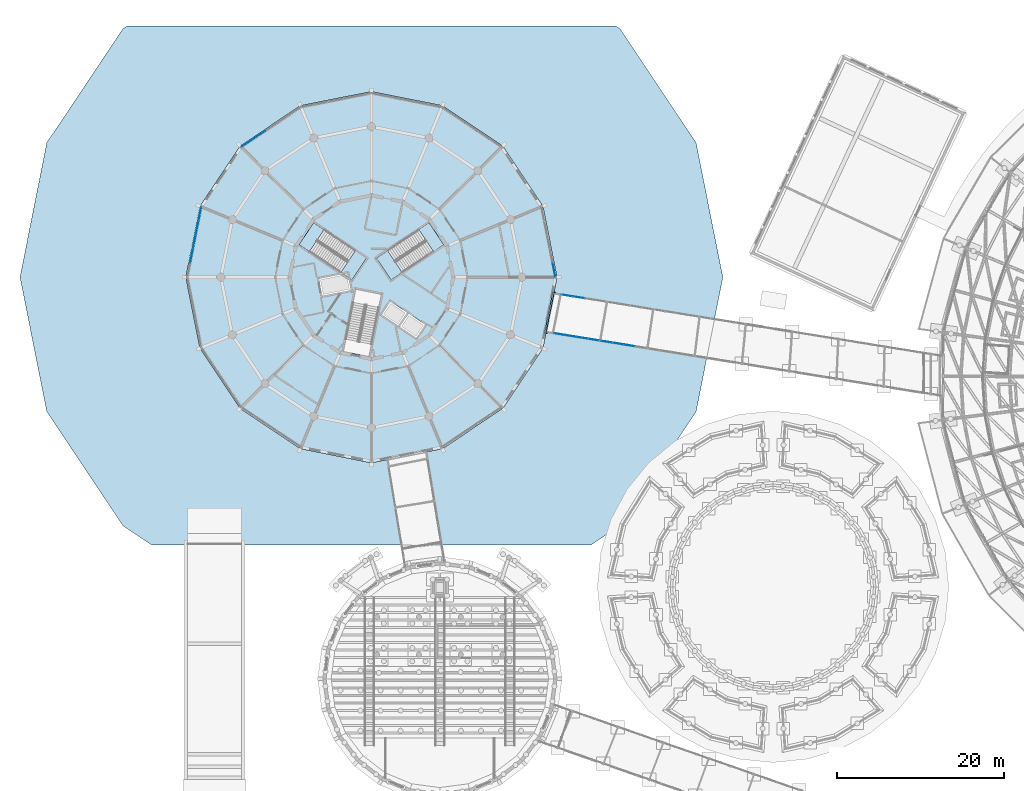
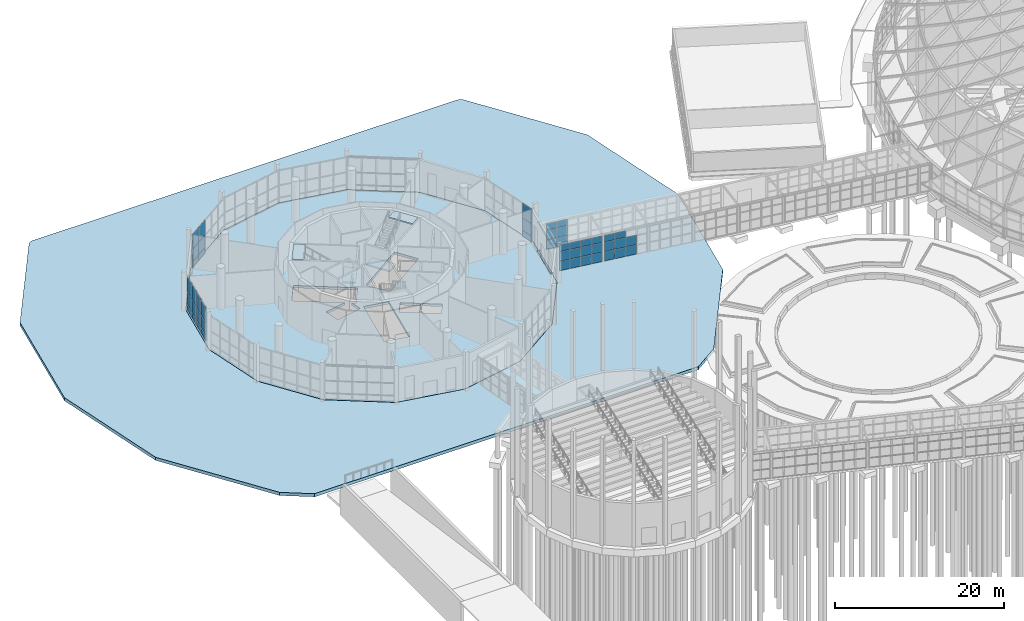
# One storey, part 131 of 226: 49 plates, 6 slabs, 8 elements without a shape of their own.
"""IFC4 building model written with IfcOpenShell, lengths in metres."""

from ifc_helpers import new_model, si_unit, direction, frame, origin, origin_2d, place, context, subcontext, project, spatial, polyline, rectangle, outline, extrude, material, layer, layer_set, type_object, element, aggregate, save


model = new_model("IFC4")

# Units and contexts
model_context = context("Model", 3, precision=1e-05, world=origin(), true_north=direction((0.0, 1.0)))
body_context = subcontext(model_context, "Body", "Model", "MODEL_VIEW")
ifc_project = project(units=[si_unit("LENGTHUNIT", "METRE"), si_unit("AREAUNIT", "SQUARE_METRE"), si_unit("VOLUMEUNIT", "CUBIC_METRE"), si_unit("PLANEANGLEUNIT", "RADIAN"), si_unit("MASSUNIT", "GRAM", prefix="KILO")], contexts=[model_context])

# Site, building, storey
site_placement = place(None, origin())
site = spatial("IfcSite", under=ifc_project, at=site_placement, CompositionType="ELEMENT")
building_placement = place(site_placement, origin())
building = spatial("IfcBuilding", under=site, at=building_placement, Name="Ceibo Conservatory and Research Tower", CompositionType="ELEMENT")
storey_placement = place(building_placement, origin())
storey = spatial("IfcBuildingStorey", under=building, at=storey_placement, Name="L00", CompositionType="ELEMENT", Elevation=0.0)

# Stair, slabs
ifc_material_1 = material(Name="Concrete C35/45", Category="concrete")
stair_type = type_object("IfcStairType", Name="Escape stair 176 x 280", PredefinedType="HALF_TURN_STAIR", material=ifc_material_1)
stair_1_placement = place(storey_placement, origin())
stair_1 = element("IfcStair", 1, at=stair_1_placement, inside=storey, type_object=stair_type, Name="Escape stair ST1 00", PredefinedType="HALF_TURN_STAIR")
ifc_layer_1 = layer(ifc_material_1, 0.199951171875)
ifc_layer_set_1 = layer_set([ifc_layer_1], Name="Concrete C35/45")
slab_type_1 = type_object("IfcSlabType", Name="Escape stair landing", PredefinedType="LANDING", material=ifc_layer_set_1)
slab_1_placement = place(storey_placement, frame((49.93359375, 123.186279296875, 2.800048828125), z_axis=(0.0, 0.0, 1.0), x_axis=(-0.831469612303, -0.55557023302, 0.0)))
slab_1 = element("IfcSlab", 2, at=slab_1_placement, type_object=slab_type_1, Name="ST1 landing 1", PredefinedType="LANDING", context=body_context, shape_type="SweptSolid", body=[
    extrude(outline(polyline([(0.0, 0.0), (1.6201171875, 0.0), (1.6201171875, 3.14990234375), (0.0, 3.14990234375), (0.0, 0.0)])), origin(), (0.0, 0.0, 1.0), 0.199951171875),
])
slab_2_placement = place(storey_placement, frame((54.90576171875, 126.508544921875, 5.800048828125), z_axis=(0.0, 0.0, 1.0), x_axis=(-0.831469612303, -0.55557023302, 0.0)))
slab_2 = element("IfcSlab", 3, at=slab_2_placement, type_object=slab_type_1, Name="ST1 landing 2", PredefinedType="LANDING", context=body_context, shape_type="SweptSolid", body=[
    extrude(outline(polyline([(0.0, 0.0), (1.5, 0.0), (1.5, 3.150146484375), (0.0, 3.150146484375), (0.0, 0.0)])), origin(), (0.0, 0.0, 1.0), 0.199951171875),
])
aggregate(stair_1, [slab_1, slab_2])

stair_2_placement = place(storey_placement, origin())
stair_2 = element("IfcStair", 4, at=stair_2_placement, inside=storey, type_object=stair_type, Name="Escape stair ST2 00", PredefinedType="HALF_TURN_STAIR")
slab_3_placement = place(storey_placement, frame((44.31640625, 120.567138671875, 2.800048828125), z_axis=(0.0, 0.0, 1.0), x_axis=(0.831469612303, -0.55557023302, 0.0)))
slab_3 = element("IfcSlab", 5, at=slab_3_placement, type_object=slab_type_1, Name="ST2 landing 1", PredefinedType="LANDING", context=body_context, shape_type="SweptSolid", body=[
    extrude(outline(polyline([(0.0, 0.0), (1.6201171875, 0.0), (1.6201171875, 3.14990234375), (0.0, 3.14990234375), (0.0, 0.0)])), origin(), (0.0, 0.0, 1.0), 0.199951171875),
])
slab_4_placement = place(storey_placement, frame((39.34423828125, 123.889404296875, 5.800048828125), z_axis=(0.0, 0.0, 1.0), x_axis=(0.831469612303, -0.55557023302, 0.0)))
slab_4 = element("IfcSlab", 6, at=slab_4_placement, type_object=slab_type_1, Name="ST2 landing 2", PredefinedType="LANDING", context=body_context, shape_type="SweptSolid", body=[
    extrude(outline(polyline([(0.0, 0.0), (1.5, 0.0), (1.5, 3.150146484375), (0.0, 3.150146484375), (0.0, 0.0)])), origin(), (0.0, 0.0, 1.0), 0.199951171875),
])
aggregate(stair_2, [slab_3, slab_4])

# Curtain wall, plates
ifc_material_2 = material(Name="Aluminium and glass", Category="aluminium")
curtain_wall_type_1 = type_object("IfcCurtainWallType", Name="Gallery curtain wall", PredefinedType="NOTDEFINED", material=ifc_material_2)
curtain_wall_1_placement = place(storey_placement, origin())
curtain_wall_1 = element("IfcCurtainWall", 7, at=curtain_wall_1_placement, inside=storey, type_object=curtain_wall_type_1, Name="Gallery curtain wall A-RT-CWN08", PredefinedType="NOTDEFINED")
ifc_material_3 = material(Name="Laminated glass", Category="glass")
ifc_layer_2 = layer(ifc_material_3, 0.028076171875)
ifc_layer_set_2 = layer_set([ifc_layer_2], Name="Laminated glass")
plate_type_1 = type_object("IfcPlateType", Name="Gallery glass 28", PredefinedType="CURTAIN_PANEL", material=ifc_layer_set_2)
plate_1_placement = place(storey_placement, frame((78.839599609375, 111.84765625, 0.06005859375), z_axis=(0.0, 0.0, 1.0), x_axis=(-0.987215515464, 0.159391110254, 0.0)))
plate_1 = element("IfcPlate", 8, at=plate_1_placement, type_object=plate_type_1, Name="A-RT-CWN08 panel 2.1", PredefinedType="CURTAIN_PANEL", context=body_context, shape_type="SweptSolid", body=[
    extrude(rectangle(XDim=1.319580078125, YDim=0.028076171875, at=origin_2d()), origin(), (0.0, 0.0, 1.0), 1.31005859375),
])
plate_2_placement = place(storey_placement, frame((78.839599609375, 111.84765625, 1.43017578125), z_axis=(0.0, 0.0, 1.0), x_axis=(-0.987215515464, 0.159391110254, 0.0)))
plate_2 = element("IfcPlate", 9, at=plate_2_placement, type_object=plate_type_1, Name="A-RT-CWN08 panel 2.2", PredefinedType="CURTAIN_PANEL", context=body_context, shape_type="SweptSolid", body=[
    extrude(rectangle(XDim=1.319580078125, YDim=0.028076171875, at=origin_2d()), origin(), (0.0, 0.0, 1.0), 1.340087890625),
])
plate_3_placement = place(storey_placement, frame((77.477783203125, 112.067626953125, 0.06005859375), z_axis=(0.0, 0.0, 1.0), x_axis=(-0.987215515464, 0.159391110254, 0.0)))
plate_3 = element("IfcPlate", 10, at=plate_3_placement, type_object=plate_type_1, Name="A-RT-CWN08 panel 3.1", PredefinedType="CURTAIN_PANEL", context=body_context, shape_type="SweptSolid", body=[
    extrude(rectangle(XDim=1.319580078125, YDim=0.028076171875, at=origin_2d()), origin(), (0.0, 0.0, 1.0), 1.31005859375),
])
plate_4_placement = place(storey_placement, frame((77.477783203125, 112.067626953125, 1.43017578125), z_axis=(0.0, 0.0, 1.0), x_axis=(-0.987215515464, 0.159391110254, 0.0)))
plate_4 = element("IfcPlate", 11, at=plate_4_placement, type_object=plate_type_1, Name="A-RT-CWN08 panel 3.2", PredefinedType="CURTAIN_PANEL", context=body_context, shape_type="SweptSolid", body=[
    extrude(rectangle(XDim=1.319580078125, YDim=0.028076171875, at=origin_2d()), origin(), (0.0, 0.0, 1.0), 1.340087890625),
])
plate_5_placement = place(storey_placement, frame((77.477783203125, 112.067626953125, 2.830078125), z_axis=(0.0, 0.0, 1.0), x_axis=(-0.987215515464, 0.159391110254, 0.0)))
plate_5 = element("IfcPlate", 12, at=plate_5_placement, type_object=plate_type_1, Name="A-RT-CWN08 panel 3.3", PredefinedType="CURTAIN_PANEL", context=body_context, shape_type="SweptSolid", body=[
    extrude(rectangle(XDim=1.319580078125, YDim=0.028076171875, at=origin_2d()), origin(), (0.0, 0.0, 1.0), 0.909912109375),
])
plate_6_placement = place(storey_placement, frame((76.130615234375, 112.28515625, 0.06005859375), z_axis=(0.0, 0.0, 1.0), x_axis=(-0.987215515464, 0.159391110254, 0.0)))
plate_6 = element("IfcPlate", 13, at=plate_6_placement, type_object=plate_type_1, Name="A-RT-CWN08 panel 4.1", PredefinedType="CURTAIN_PANEL", context=body_context, shape_type="SweptSolid", body=[
    extrude(rectangle(XDim=1.28955078125, YDim=0.028076171875, at=origin_2d()), origin(), (0.0, 0.0, 1.0), 1.31005859375),
])
plate_7_placement = place(storey_placement, frame((76.130615234375, 112.28515625, 1.43017578125), z_axis=(0.0, 0.0, 1.0), x_axis=(-0.987215515464, 0.159391110254, 0.0)))
plate_7 = element("IfcPlate", 14, at=plate_7_placement, type_object=plate_type_1, Name="A-RT-CWN08 panel 4.2", PredefinedType="CURTAIN_PANEL", context=body_context, shape_type="SweptSolid", body=[
    extrude(rectangle(XDim=1.28955078125, YDim=0.028076171875, at=origin_2d()), origin(), (0.0, 0.0, 1.0), 1.340087890625),
])
plate_8_placement = place(storey_placement, frame((76.130615234375, 112.28515625, 2.830078125), z_axis=(0.0, 0.0, 1.0), x_axis=(-0.987215515464, 0.159391110254, 0.0)))
plate_8 = element("IfcPlate", 15, at=plate_8_placement, type_object=plate_type_1, Name="A-RT-CWN08 panel 4.3", PredefinedType="CURTAIN_PANEL", context=body_context, shape_type="SweptSolid", body=[
    extrude(rectangle(XDim=1.28955078125, YDim=0.028076171875, at=origin_2d()), origin(), (0.0, 0.0, 1.0), 0.909912109375),
])
aggregate(curtain_wall_1, [plate_1, plate_2, plate_3, plate_4, plate_5, plate_6, plate_7, plate_8])

curtain_wall_2_placement = place(storey_placement, origin())
curtain_wall_2 = element("IfcCurtainWall", 16, at=curtain_wall_2_placement, inside=storey, type_object=curtain_wall_type_1, Name="Gallery curtain wall A-RT-CWN09", PredefinedType="NOTDEFINED")
plate_9_placement = place(storey_placement, frame((74.541748046875, 112.54150390625, 0.06005859375), z_axis=(0.0, 0.0, 1.0), x_axis=(-0.987215515464, 0.159391110254, 0.0)))
plate_9 = element("IfcPlate", 17, at=plate_9_placement, type_object=plate_type_1, Name="A-RT-CWN09 panel 1.1", PredefinedType="CURTAIN_PANEL", context=body_context, shape_type="SweptSolid", body=[
    extrude(rectangle(XDim=1.28955078125, YDim=0.028076171875, at=origin_2d()), origin(), (0.0, 0.0, 1.0), 1.31005859375),
])
plate_10_placement = place(storey_placement, frame((74.541748046875, 112.54150390625, 1.43017578125), z_axis=(0.0, 0.0, 1.0), x_axis=(-0.987215515464, 0.159391110254, 0.0)))
plate_10 = element("IfcPlate", 18, at=plate_10_placement, type_object=plate_type_1, Name="A-RT-CWN09 panel 1.2", PredefinedType="CURTAIN_PANEL", context=body_context, shape_type="SweptSolid", body=[
    extrude(rectangle(XDim=1.28955078125, YDim=0.028076171875, at=origin_2d()), origin(), (0.0, 0.0, 1.0), 1.340087890625),
])
plate_11_placement = place(storey_placement, frame((74.541748046875, 112.54150390625, 2.830078125), z_axis=(0.0, 0.0, 1.0), x_axis=(-0.987215515464, 0.159391110254, 0.0)))
plate_11 = element("IfcPlate", 19, at=plate_11_placement, type_object=plate_type_1, Name="A-RT-CWN09 panel 1.3", PredefinedType="CURTAIN_PANEL", context=body_context, shape_type="SweptSolid", body=[
    extrude(rectangle(XDim=1.28955078125, YDim=0.028076171875, at=origin_2d()), origin(), (0.0, 0.0, 1.0), 0.909912109375),
])
plate_12_placement = place(storey_placement, frame((73.194580078125, 112.759033203125, 0.06005859375), z_axis=(0.0, 0.0, 1.0), x_axis=(-0.987215515464, 0.159391110254, 0.0)))
plate_12 = element("IfcPlate", 20, at=plate_12_placement, type_object=plate_type_1, Name="A-RT-CWN09 panel 2.1", PredefinedType="CURTAIN_PANEL", context=body_context, shape_type="SweptSolid", body=[
    extrude(rectangle(XDim=1.319580078125, YDim=0.028076171875, at=origin_2d()), origin(), (0.0, 0.0, 1.0), 1.31005859375),
])
plate_13_placement = place(storey_placement, frame((73.194580078125, 112.759033203125, 1.43017578125), z_axis=(0.0, 0.0, 1.0), x_axis=(-0.987215515464, 0.159391110254, 0.0)))
plate_13 = element("IfcPlate", 21, at=plate_13_placement, type_object=plate_type_1, Name="A-RT-CWN09 panel 2.2", PredefinedType="CURTAIN_PANEL", context=body_context, shape_type="SweptSolid", body=[
    extrude(rectangle(XDim=1.319580078125, YDim=0.028076171875, at=origin_2d()), origin(), (0.0, 0.0, 1.0), 1.340087890625),
])
plate_14_placement = place(storey_placement, frame((73.194580078125, 112.759033203125, 2.830078125), z_axis=(0.0, 0.0, 1.0), x_axis=(-0.987215515464, 0.159391110254, 0.0)))
plate_14 = element("IfcPlate", 22, at=plate_14_placement, type_object=plate_type_1, Name="A-RT-CWN09 panel 2.3", PredefinedType="CURTAIN_PANEL", context=body_context, shape_type="SweptSolid", body=[
    extrude(rectangle(XDim=1.319580078125, YDim=0.028076171875, at=origin_2d()), origin(), (0.0, 0.0, 1.0), 0.909912109375),
])
plate_15_placement = place(storey_placement, frame((71.832763671875, 112.97900390625, 0.06005859375), z_axis=(0.0, 0.0, 1.0), x_axis=(-0.987215515464, 0.159391110254, 0.0)))
plate_15 = element("IfcPlate", 23, at=plate_15_placement, type_object=plate_type_1, Name="A-RT-CWN09 panel 3.1", PredefinedType="CURTAIN_PANEL", context=body_context, shape_type="SweptSolid", body=[
    extrude(rectangle(XDim=1.319580078125, YDim=0.028076171875, at=origin_2d()), origin(), (0.0, 0.0, 1.0), 1.31005859375),
])
plate_16_placement = place(storey_placement, frame((71.832763671875, 112.97900390625, 1.43017578125), z_axis=(0.0, 0.0, 1.0), x_axis=(-0.987215515464, 0.159391110254, 0.0)))
plate_16 = element("IfcPlate", 24, at=plate_16_placement, type_object=plate_type_1, Name="A-RT-CWN09 panel 3.2", PredefinedType="CURTAIN_PANEL", context=body_context, shape_type="SweptSolid", body=[
    extrude(rectangle(XDim=1.319580078125, YDim=0.028076171875, at=origin_2d()), origin(), (0.0, 0.0, 1.0), 1.340087890625),
])
plate_17_placement = place(storey_placement, frame((71.832763671875, 112.97900390625, 2.830078125), z_axis=(0.0, 0.0, 1.0), x_axis=(-0.987215515464, 0.159391110254, 0.0)))
plate_17 = element("IfcPlate", 25, at=plate_17_placement, type_object=plate_type_1, Name="A-RT-CWN09 panel 3.3", PredefinedType="CURTAIN_PANEL", context=body_context, shape_type="SweptSolid", body=[
    extrude(rectangle(XDim=1.319580078125, YDim=0.028076171875, at=origin_2d()), origin(), (0.0, 0.0, 1.0), 0.909912109375),
])
plate_18_placement = place(storey_placement, frame((70.485595703125, 113.196533203125, 0.06005859375), z_axis=(0.0, 0.0, 1.0), x_axis=(-0.987215515464, 0.159391110254, 0.0)))
plate_18 = element("IfcPlate", 26, at=plate_18_placement, type_object=plate_type_1, Name="A-RT-CWN09 panel 4.1", PredefinedType="CURTAIN_PANEL", context=body_context, shape_type="SweptSolid", body=[
    extrude(rectangle(XDim=1.28955078125, YDim=0.028076171875, at=origin_2d()), origin(), (0.0, 0.0, 1.0), 1.31005859375),
])
plate_19_placement = place(storey_placement, frame((70.485595703125, 113.196533203125, 1.43017578125), z_axis=(0.0, 0.0, 1.0), x_axis=(-0.987215515464, 0.159391110254, 0.0)))
plate_19 = element("IfcPlate", 27, at=plate_19_placement, type_object=plate_type_1, Name="A-RT-CWN09 panel 4.2", PredefinedType="CURTAIN_PANEL", context=body_context, shape_type="SweptSolid", body=[
    extrude(rectangle(XDim=1.28955078125, YDim=0.028076171875, at=origin_2d()), origin(), (0.0, 0.0, 1.0), 1.340087890625),
])
plate_20_placement = place(storey_placement, frame((70.485595703125, 113.196533203125, 2.830078125), z_axis=(0.0, 0.0, 1.0), x_axis=(-0.987215515464, 0.159391110254, 0.0)))
plate_20 = element("IfcPlate", 28, at=plate_20_placement, type_object=plate_type_1, Name="A-RT-CWN09 panel 4.3", PredefinedType="CURTAIN_PANEL", context=body_context, shape_type="SweptSolid", body=[
    extrude(rectangle(XDim=1.28955078125, YDim=0.028076171875, at=origin_2d()), origin(), (0.0, 0.0, 1.0), 0.909912109375),
])
aggregate(curtain_wall_2, [plate_9, plate_10, plate_11, plate_12, plate_13, plate_14, plate_15, plate_16, plate_17, plate_18, plate_19, plate_20])

curtain_wall_3_placement = place(storey_placement, origin())
curtain_wall_3 = element("IfcCurtainWall", 29, at=curtain_wall_3_placement, inside=storey, type_object=curtain_wall_type_1, Name="Gallery curtain wall A-RT-CWS09", PredefinedType="NOTDEFINED")
plate_21_placement = place(storey_placement, frame((72.708251953125, 117.598388671875, 0.06005859375), z_axis=(0.0, 0.0, 1.0), x_axis=(-0.987215515464, 0.159391110254, 0.0)))
plate_21 = element("IfcPlate", 30, at=plate_21_placement, type_object=plate_type_1, Name="A-RT-CWS09 panel 3.1", PredefinedType="CURTAIN_PANEL", context=body_context, shape_type="SweptSolid", body=[
    extrude(rectangle(XDim=1.291259765625, YDim=0.028076171875, at=origin_2d()), origin(), (0.0, 0.0, 1.0), 1.31005859375),
])
plate_22_placement = place(storey_placement, frame((72.708251953125, 117.598388671875, 1.43017578125), z_axis=(0.0, 0.0, 1.0), x_axis=(-0.987215515464, 0.159391110254, 0.0)))
plate_22 = element("IfcPlate", 31, at=plate_22_placement, type_object=plate_type_1, Name="A-RT-CWS09 panel 3.2", PredefinedType="CURTAIN_PANEL", context=body_context, shape_type="SweptSolid", body=[
    extrude(rectangle(XDim=1.291259765625, YDim=0.028076171875, at=origin_2d()), origin(), (0.0, 0.0, 1.0), 1.340087890625),
])
plate_23_placement = place(storey_placement, frame((72.708251953125, 117.598388671875, 2.830078125), z_axis=(0.0, 0.0, 1.0), x_axis=(-0.987215515464, 0.159391110254, 0.0)))
plate_23 = element("IfcPlate", 32, at=plate_23_placement, type_object=plate_type_1, Name="A-RT-CWS09 panel 3.3", PredefinedType="CURTAIN_PANEL", context=body_context, shape_type="SweptSolid", body=[
    extrude(rectangle(XDim=1.291259765625, YDim=0.028076171875, at=origin_2d()), origin(), (0.0, 0.0, 1.0), 0.909912109375),
])
plate_24_placement = place(storey_placement, frame((71.38916015625, 117.8115234375, 0.06005859375), z_axis=(0.0, 0.0, 1.0), x_axis=(-0.987215515464, 0.159391110254, 0.0)))
plate_24 = element("IfcPlate", 33, at=plate_24_placement, type_object=plate_type_1, Name="A-RT-CWS09 panel 4.1", PredefinedType="CURTAIN_PANEL", context=body_context, shape_type="SweptSolid", body=[
    extrude(rectangle(XDim=1.26123046875, YDim=0.028076171875, at=origin_2d()), origin(), (0.0, 0.0, 1.0), 1.31005859375),
])
plate_25_placement = place(storey_placement, frame((71.38916015625, 117.8115234375, 1.43017578125), z_axis=(0.0, 0.0, 1.0), x_axis=(-0.987215515464, 0.159391110254, 0.0)))
plate_25 = element("IfcPlate", 34, at=plate_25_placement, type_object=plate_type_1, Name="A-RT-CWS09 panel 4.2", PredefinedType="CURTAIN_PANEL", context=body_context, shape_type="SweptSolid", body=[
    extrude(rectangle(XDim=1.26123046875, YDim=0.028076171875, at=origin_2d()), origin(), (0.0, 0.0, 1.0), 1.340087890625),
])
plate_26_placement = place(storey_placement, frame((71.38916015625, 117.8115234375, 2.830078125), z_axis=(0.0, 0.0, 1.0), x_axis=(-0.987215515464, 0.159391110254, 0.0)))
plate_26 = element("IfcPlate", 35, at=plate_26_placement, type_object=plate_type_1, Name="A-RT-CWS09 panel 4.3", PredefinedType="CURTAIN_PANEL", context=body_context, shape_type="SweptSolid", body=[
    extrude(rectangle(XDim=1.26123046875, YDim=0.028076171875, at=origin_2d()), origin(), (0.0, 0.0, 1.0), 0.909912109375),
])
aggregate(curtain_wall_3, [plate_21, plate_22, plate_23, plate_24, plate_25, plate_26])

curtain_wall_type_2 = type_object("IfcCurtainWallType", Name="Curtain wall CW1", PredefinedType="NOTDEFINED", material=ifc_material_2)
curtain_wall_4_placement = place(storey_placement, origin())
curtain_wall_4 = element("IfcCurtainWall", 36, at=curtain_wall_4_placement, inside=storey, type_object=curtain_wall_type_2, Name="CW-00.01", PredefinedType="NOTDEFINED")
ifc_material_4 = material(Name="Glass", Category="glass")
ifc_layer_3 = layer(ifc_material_4, 0.028076171875)
ifc_layer_set_3 = layer_set([ifc_layer_3], Name="Glass")
plate_type_2 = type_object("IfcPlateType", Name="Insulated glass panel 28", PredefinedType="CURTAIN_PANEL", material=ifc_layer_set_3)
plate_27_placement = place(storey_placement, frame((69.82958984375, 120.856689453125, 0.06005859375), z_axis=(0.0, 0.0, 1.0), x_axis=(-0.195090279221, 0.980785288916, 0.0)))
plate_27 = element("IfcPlate", 37, at=plate_27_placement, type_object=plate_type_2, Name="CW-00.01 panel 1.1", PredefinedType="CURTAIN_PANEL", context=body_context, shape_type="SweptSolid", body=[
    extrude(rectangle(XDim=1.626708984375, YDim=0.028076171875, at=origin_2d()), origin(), (0.0, 0.0, 1.0), 0.81005859375),
])
plate_28_placement = place(storey_placement, frame((69.82958984375, 120.856689453125, 0.93017578125), z_axis=(0.0, 0.0, 1.0), x_axis=(-0.195090279221, 0.980785288916, 0.0)))
plate_28 = element("IfcPlate", 38, at=plate_28_placement, type_object=plate_type_2, Name="CW-00.01 panel 1.2", PredefinedType="CURTAIN_PANEL", context=body_context, shape_type="SweptSolid", body=[
    extrude(rectangle(XDim=1.626708984375, YDim=0.028076171875, at=origin_2d()), origin(), (0.0, 0.0, 1.0), 1.739990234375),
])
plate_29_placement = place(storey_placement, frame((69.82958984375, 120.856689453125, 2.72998046875), z_axis=(0.0, 0.0, 1.0), x_axis=(-0.195090279221, 0.980785288916, 0.0)))
plate_29 = element("IfcPlate", 39, at=plate_29_placement, type_object=plate_type_2, Name="CW-00.01 panel 1.3", PredefinedType="CURTAIN_PANEL", context=body_context, shape_type="SweptSolid", body=[
    extrude(rectangle(XDim=1.626708984375, YDim=0.028076171875, at=origin_2d()), origin(), (0.0, 0.0, 1.0), 2.110107421875),
])
aggregate(curtain_wall_4, [plate_27, plate_28, plate_29])

curtain_wall_5_placement = place(storey_placement, origin())
curtain_wall_5 = element("IfcCurtainWall", 40, at=curtain_wall_5_placement, inside=storey, type_object=curtain_wall_type_2, Name="CW-00.06", PredefinedType="NOTDEFINED")
plate_30_placement = place(storey_placement, frame((34.5849609375, 136.987060546875, 0.06005859375), z_axis=(0.0, 0.0, 1.0), x_axis=(-0.831469562724, -0.555570307219, 0.0)))
plate_30 = element("IfcPlate", 41, at=plate_30_placement, type_object=plate_type_2, Name="CW-00.06 panel 4.1", PredefinedType="CURTAIN_PANEL", context=body_context, shape_type="SweptSolid", body=[
    extrude(rectangle(XDim=1.65673828125, YDim=0.028076171875, at=origin_2d()), origin(), (0.0, 0.0, 1.0), 0.81005859375),
])
plate_31_placement = place(storey_placement, frame((34.5849609375, 136.987060546875, 0.93017578125), z_axis=(0.0, 0.0, 1.0), x_axis=(-0.831469562724, -0.555570307219, 0.0)))
plate_31 = element("IfcPlate", 42, at=plate_31_placement, type_object=plate_type_2, Name="CW-00.06 panel 4.2", PredefinedType="CURTAIN_PANEL", context=body_context, shape_type="SweptSolid", body=[
    extrude(rectangle(XDim=1.65673828125, YDim=0.028076171875, at=origin_2d()), origin(), (0.0, 0.0, 1.0), 1.739990234375),
])
plate_32_placement = place(storey_placement, frame((34.5849609375, 136.987060546875, 2.72998046875), z_axis=(0.0, 0.0, 1.0), x_axis=(-0.831469562724, -0.555570307219, 0.0)))
plate_32 = element("IfcPlate", 43, at=plate_32_placement, type_object=plate_type_2, Name="CW-00.06 panel 4.3", PredefinedType="CURTAIN_PANEL", context=body_context, shape_type="SweptSolid", body=[
    extrude(rectangle(XDim=1.65673828125, YDim=0.028076171875, at=origin_2d()), origin(), (0.0, 0.0, 1.0), 2.110107421875),
])
plate_33_placement = place(storey_placement, frame((33.169921875, 136.04150390625, 0.06005859375), z_axis=(0.0, 0.0, 1.0), x_axis=(-0.831469562724, -0.555570307219, 0.0)))
plate_33 = element("IfcPlate", 44, at=plate_33_placement, type_object=plate_type_2, Name="CW-00.06 panel 5.1", PredefinedType="CURTAIN_PANEL", context=body_context, shape_type="SweptSolid", body=[
    extrude(rectangle(XDim=1.626708984375, YDim=0.028076171875, at=origin_2d()), origin(), (0.0, 0.0, 1.0), 0.81005859375),
])
plate_34_placement = place(storey_placement, frame((33.169921875, 136.04150390625, 0.93017578125), z_axis=(0.0, 0.0, 1.0), x_axis=(-0.831469562724, -0.555570307219, 0.0)))
plate_34 = element("IfcPlate", 45, at=plate_34_placement, type_object=plate_type_2, Name="CW-00.06 panel 5.2", PredefinedType="CURTAIN_PANEL", context=body_context, shape_type="SweptSolid", body=[
    extrude(rectangle(XDim=1.626708984375, YDim=0.028076171875, at=origin_2d()), origin(), (0.0, 0.0, 1.0), 1.739990234375),
])
plate_35_placement = place(storey_placement, frame((33.169921875, 136.04150390625, 2.72998046875), z_axis=(0.0, 0.0, 1.0), x_axis=(-0.831469562724, -0.555570307219, 0.0)))
plate_35 = element("IfcPlate", 46, at=plate_35_placement, type_object=plate_type_2, Name="CW-00.06 panel 5.3", PredefinedType="CURTAIN_PANEL", context=body_context, shape_type="SweptSolid", body=[
    extrude(rectangle(XDim=1.626708984375, YDim=0.028076171875, at=origin_2d()), origin(), (0.0, 0.0, 1.0), 2.110107421875),
])
aggregate(curtain_wall_5, [plate_30, plate_31, plate_32, plate_33, plate_34, plate_35])

curtain_wall_6_placement = place(storey_placement, origin())
curtain_wall_6 = element("IfcCurtainWall", 47, at=curtain_wall_6_placement, inside=storey, type_object=curtain_wall_type_2, Name="CW-00.08", PredefinedType="NOTDEFINED")
plate_36_placement = place(storey_placement, frame((27.504150390625, 127.5625, 0.06005859375), z_axis=(0.0, 0.0, 1.0), x_axis=(-0.195090279221, -0.980785288916, 0.0)))
plate_36 = element("IfcPlate", 48, at=plate_36_placement, type_object=plate_type_2, Name="CW-00.08 panel 1.1", PredefinedType="CURTAIN_PANEL", context=body_context, shape_type="SweptSolid", body=[
    extrude(rectangle(XDim=1.626708984375, YDim=0.028076171875, at=origin_2d()), origin(), (0.0, 0.0, 1.0), 0.81005859375),
])
plate_37_placement = place(storey_placement, frame((27.504150390625, 127.5625, 0.93017578125), z_axis=(0.0, 0.0, 1.0), x_axis=(-0.195090279221, -0.980785288916, 0.0)))
plate_37 = element("IfcPlate", 49, at=plate_37_placement, type_object=plate_type_2, Name="CW-00.08 panel 1.2", PredefinedType="CURTAIN_PANEL", context=body_context, shape_type="SweptSolid", body=[
    extrude(rectangle(XDim=1.626708984375, YDim=0.028076171875, at=origin_2d()), origin(), (0.0, 0.0, 1.0), 1.739990234375),
])
plate_38_placement = place(storey_placement, frame((27.504150390625, 127.5625, 2.72998046875), z_axis=(0.0, 0.0, 1.0), x_axis=(-0.195090279221, -0.980785288916, 0.0)))
plate_38 = element("IfcPlate", 50, at=plate_38_placement, type_object=plate_type_2, Name="CW-00.08 panel 1.3", PredefinedType="CURTAIN_PANEL", context=body_context, shape_type="SweptSolid", body=[
    extrude(rectangle(XDim=1.626708984375, YDim=0.028076171875, at=origin_2d()), origin(), (0.0, 0.0, 1.0), 2.110107421875),
])
plate_39_placement = place(storey_placement, frame((27.17236328125, 125.893310546875, 0.06005859375), z_axis=(0.0, 0.0, 1.0), x_axis=(-0.195090279221, -0.980785288916, 0.0)))
plate_39 = element("IfcPlate", 51, at=plate_39_placement, type_object=plate_type_2, Name="CW-00.08 panel 2.1", PredefinedType="CURTAIN_PANEL", context=body_context, shape_type="SweptSolid", body=[
    extrude(rectangle(XDim=1.65673828125, YDim=0.028076171875, at=origin_2d()), origin(), (0.0, 0.0, 1.0), 0.81005859375),
])
plate_40_placement = place(storey_placement, frame((27.17236328125, 125.893310546875, 0.93017578125), z_axis=(0.0, 0.0, 1.0), x_axis=(-0.195090279221, -0.980785288916, 0.0)))
plate_40 = element("IfcPlate", 52, at=plate_40_placement, type_object=plate_type_2, Name="CW-00.08 panel 2.2", PredefinedType="CURTAIN_PANEL", context=body_context, shape_type="SweptSolid", body=[
    extrude(rectangle(XDim=1.65673828125, YDim=0.028076171875, at=origin_2d()), origin(), (0.0, 0.0, 1.0), 1.739990234375),
])
plate_41_placement = place(storey_placement, frame((27.17236328125, 125.893310546875, 2.72998046875), z_axis=(0.0, 0.0, 1.0), x_axis=(-0.195090279221, -0.980785288916, 0.0)))
plate_41 = element("IfcPlate", 53, at=plate_41_placement, type_object=plate_type_2, Name="CW-00.08 panel 2.3", PredefinedType="CURTAIN_PANEL", context=body_context, shape_type="SweptSolid", body=[
    extrude(rectangle(XDim=1.65673828125, YDim=0.028076171875, at=origin_2d()), origin(), (0.0, 0.0, 1.0), 2.110107421875),
])
plate_42_placement = place(storey_placement, frame((26.83740234375, 124.20947265625, 0.06005859375), z_axis=(0.0, 0.0, 1.0), x_axis=(-0.195090279221, -0.980785288916, 0.0)))
plate_42 = element("IfcPlate", 54, at=plate_42_placement, type_object=plate_type_2, Name="CW-00.08 panel 3.1", PredefinedType="CURTAIN_PANEL", context=body_context, shape_type="SweptSolid", body=[
    extrude(rectangle(XDim=1.65673828125, YDim=0.028076171875, at=origin_2d()), origin(), (0.0, 0.0, 1.0), 0.81005859375),
])
plate_43_placement = place(storey_placement, frame((26.83740234375, 124.20947265625, 0.93017578125), z_axis=(0.0, 0.0, 1.0), x_axis=(-0.195090279221, -0.980785288916, 0.0)))
plate_43 = element("IfcPlate", 55, at=plate_43_placement, type_object=plate_type_2, Name="CW-00.08 panel 3.2", PredefinedType="CURTAIN_PANEL", context=body_context, shape_type="SweptSolid", body=[
    extrude(rectangle(XDim=1.65673828125, YDim=0.028076171875, at=origin_2d()), origin(), (0.0, 0.0, 1.0), 1.739990234375),
])
plate_44_placement = place(storey_placement, frame((26.83740234375, 124.20947265625, 2.72998046875), z_axis=(0.0, 0.0, 1.0), x_axis=(-0.195090279221, -0.980785288916, 0.0)))
plate_44 = element("IfcPlate", 56, at=plate_44_placement, type_object=plate_type_2, Name="CW-00.08 panel 3.3", PredefinedType="CURTAIN_PANEL", context=body_context, shape_type="SweptSolid", body=[
    extrude(rectangle(XDim=1.65673828125, YDim=0.028076171875, at=origin_2d()), origin(), (0.0, 0.0, 1.0), 2.110107421875),
])
plate_45_placement = place(storey_placement, frame((26.50244140625, 122.525634765625, 0.06005859375), z_axis=(0.0, 0.0, 1.0), x_axis=(-0.195090279221, -0.980785288916, 0.0)))
plate_45 = element("IfcPlate", 57, at=plate_45_placement, type_object=plate_type_2, Name="CW-00.08 panel 4.1", PredefinedType="CURTAIN_PANEL", context=body_context, shape_type="SweptSolid", body=[
    extrude(rectangle(XDim=1.65673828125, YDim=0.028076171875, at=origin_2d()), origin(), (0.0, 0.0, 1.0), 0.81005859375),
])
plate_46_placement = place(storey_placement, frame((26.50244140625, 122.525634765625, 0.93017578125), z_axis=(0.0, 0.0, 1.0), x_axis=(-0.195090279221, -0.980785288916, 0.0)))
plate_46 = element("IfcPlate", 58, at=plate_46_placement, type_object=plate_type_2, Name="CW-00.08 panel 4.2", PredefinedType="CURTAIN_PANEL", context=body_context, shape_type="SweptSolid", body=[
    extrude(rectangle(XDim=1.65673828125, YDim=0.028076171875, at=origin_2d()), origin(), (0.0, 0.0, 1.0), 1.739990234375),
])
plate_47_placement = place(storey_placement, frame((26.50244140625, 122.525634765625, 2.72998046875), z_axis=(0.0, 0.0, 1.0), x_axis=(-0.195090279221, -0.980785288916, 0.0)))
plate_47 = element("IfcPlate", 59, at=plate_47_placement, type_object=plate_type_2, Name="CW-00.08 panel 4.3", PredefinedType="CURTAIN_PANEL", context=body_context, shape_type="SweptSolid", body=[
    extrude(rectangle(XDim=1.65673828125, YDim=0.028076171875, at=origin_2d()), origin(), (0.0, 0.0, 1.0), 2.110107421875),
])
aggregate(curtain_wall_6, [plate_36, plate_37, plate_38, plate_39, plate_40, plate_41, plate_42, plate_43, plate_44, plate_45, plate_46, plate_47])

# Plates
ifc_material_5 = material(Name="Stainless steel AISI 316", Category="steel")
ifc_layer_4 = layer(ifc_material_5, 0.010009765625)
ifc_layer_set_4 = layer_set([ifc_layer_4], Name="Stainless steel AISI 316")
plate_type_3 = type_object("IfcPlateType", Name="Movement joint floor cover plate 10", PredefinedType="SHEET", material=ifc_layer_set_4)
plate_48_placement = place(storey_placement, origin())
element("IfcPlate", 60, at=plate_48_placement, inside=storey, type_object=plate_type_3, Name="Movement joint cover floor A-RT-JF01", PredefinedType="SHEET", context=body_context, shape_type="SweptSolid", body=[
    extrude(outline(polyline([(69.650634765625, 118.244140625), (69.966796875, 118.193115234375), (69.943359375, 118.0751953125), (69.844482421875, 118.09130859375), (68.915283203125, 113.419677734375), (69.01416015625, 113.403564453125), (68.99072265625, 113.285888671875), (68.674560546875, 113.3369140625), (69.650634765625, 118.244140625)])), origin(), (0.0, 0.0, 1.0), 0.010009765625),
])
ifc_layer_5 = layer(ifc_material_5, 0.010009765625)
ifc_layer_set_5 = layer_set([ifc_layer_5], Name="Stainless steel AISI 316")
plate_type_4 = type_object("IfcPlateType", Name="Movement joint roof cover plate 10", PredefinedType="SHEET", material=ifc_layer_set_5)
plate_49_placement = place(storey_placement, frame((0.0, 0.0, 4.199951171875)))
element("IfcPlate", 61, at=plate_49_placement, inside=storey, type_object=plate_type_4, Name="Movement joint cover roof A-RT-JR01", PredefinedType="SHEET", context=body_context, shape_type="SweptSolid", body=[
    extrude(outline(polyline([(69.650634765625, 118.244140625), (69.966796875, 118.193115234375), (69.943359375, 118.0751953125), (69.844482421875, 118.09130859375), (68.915283203125, 113.419677734375), (69.01416015625, 113.403564453125), (68.99072265625, 113.285888671875), (68.674560546875, 113.3369140625), (69.650634765625, 118.244140625)])), origin(), (0.0, 0.0, 1.0), 0.010009765625),
])

# Slabs
ifc_layer_6 = layer(ifc_material_1, 0.35009765625)
ifc_layer_set_6 = layer_set([ifc_layer_6], Name="Concrete C35/45")
slab_type_2 = type_object("IfcSlabType", Name="RC floor slab 350", PredefinedType="FLOOR", material=ifc_layer_set_6)
slab_5_placement = place(storey_placement, frame((0.0, 0.0, -0.35009765625)))
element("IfcSlab", 62, at=slab_5_placement, inside=storey, type_object=slab_type_2, Name="Floor slab L00", PredefinedType="FLOOR", context=body_context, shape_type="SweptSolid", body=[
    extrude(outline(polyline([(70.178466796875, 120.0), (68.490234375, 128.4873046875), (63.6826171875, 135.6826171875), (56.4873046875, 140.490234375), (48.0, 142.178466796875), (39.5126953125, 140.490234375), (32.3173828125, 135.6826171875), (27.509765625, 128.4873046875), (25.821533203125, 120.0), (27.509765625, 111.5126953125), (32.3173828125, 104.3173828125), (39.5126953125, 99.509765625), (48.0, 97.821533203125), (56.4873046875, 99.509765625), (63.6826171875, 104.3173828125), (68.490234375, 111.5126953125), (70.178466796875, 120.0)]), holes=[polyline([(52.43310546875, 115.65478515625), (51.37744140625, 114.074951171875), (53.373046875, 112.74169921875), (54.428466796875, 114.321533203125), (52.43310546875, 115.65478515625)]), polyline([(47.718994140625, 110.5146484375), (49.201904296875, 117.96875), (46.1123046875, 118.583251953125), (44.629638671875, 111.129150390625), (47.718994140625, 110.5146484375)]), polyline([(52.266845703125, 115.765869140625), (50.271240234375, 117.099365234375), (49.215576171875, 115.51953125), (51.211181640625, 114.18603515625), (52.266845703125, 115.765869140625)]), polyline([(42.1240234375, 117.760498046875), (45.556640625, 118.443359375), (45.259521484375, 119.936767578125), (45.663330078125, 119.6669921875), (47.413330078125, 122.2861328125), (41.09423828125, 126.508544921875), (39.34423828125, 123.889404296875), (44.58056640625, 120.390380859375), (41.71435546875, 119.8203125), (42.1240234375, 117.760498046875)]), polyline([(54.90576171875, 126.508544921875), (48.586669921875, 122.2861328125), (50.336669921875, 119.6669921875), (56.65576171875, 123.889404296875), (54.90576171875, 126.508544921875)])]), origin(), (0.0, 0.0, 1.0), 0.35009765625),
])
ifc_layer_7 = layer(ifc_material_1, 0.449951171875)
ifc_layer_set_7 = layer_set([ifc_layer_7], Name="Concrete C35/45")
slab_type_3 = type_object("IfcSlabType", Name="RC plaza deck 450", PredefinedType="FLOOR", material=ifc_layer_set_7)
slab_6_placement = place(storey_placement, frame((0.0, 0.0, -0.449951171875)))
element("IfcSlab", 63, at=slab_6_placement, inside=storey, type_object=slab_type_3, Name="Plaza deck", PredefinedType="FLOOR", context=body_context, shape_type="SweptSolid", body=[
    extrude(outline(polyline([(86.802978515625, 136.07275390625), (77.698486328125, 149.698486328125), (77.247314453125, 150.0), (18.752685546875, 150.0), (18.301513671875, 149.698486328125), (9.197021484375, 136.07275390625), (6.0, 120.0), (9.197021484375, 103.92724609375), (18.301513671875, 90.301513671875), (21.74609375, 88.0), (74.25390625, 88.0), (77.698486328125, 90.301513671875), (86.802978515625, 103.92724609375), (90.0, 120.0), (86.802978515625, 136.07275390625)]), holes=[polyline([(68.490234375, 128.4873046875), (63.6826171875, 135.6826171875), (56.4873046875, 140.490234375), (48.0, 142.178466796875), (39.5126953125, 140.490234375), (32.3173828125, 135.6826171875), (27.509765625, 128.4873046875), (25.821533203125, 120.0), (27.509765625, 111.5126953125), (32.3173828125, 104.3173828125), (39.5126953125, 99.509765625), (48.0, 97.821533203125), (56.4873046875, 99.509765625), (63.6826171875, 104.3173828125), (68.490234375, 111.5126953125), (70.178466796875, 120.0), (68.490234375, 128.4873046875)])]), origin(), (0.0, 0.0, 1.0), 0.449951171875),
])

save(model, "model.ifc")
